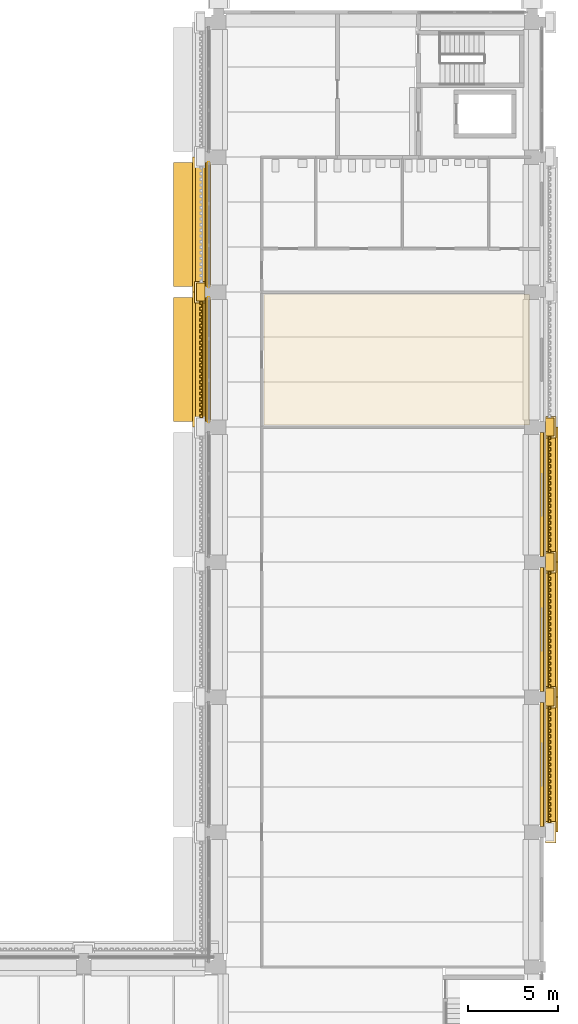
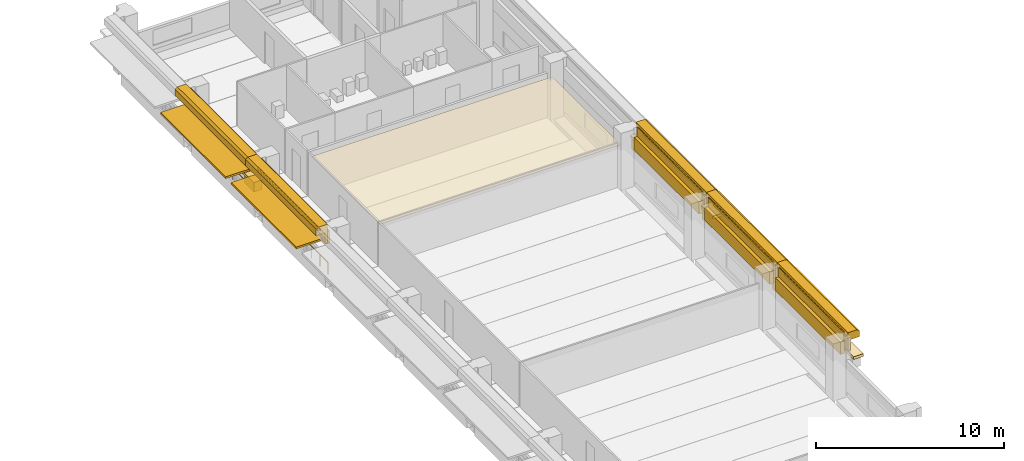
# One storey, part 64 of 71: 24 coverings, 2 railings, 2 shading devices.
"""IFC4 building model written with IfcOpenShell, lengths in metres."""

from ifc_helpers import new_model, si_unit, direction, frame, origin, origin_2d, place, context, subcontext, project, spatial, polyline, circle, outline, extrude, material, layer, layer_set, type_object, element, save


model = new_model("IFC4")

# Units and contexts
model_context = context("Model", 3, precision=1e-05, world=origin(), true_north=direction((0.0, 1.0)))
body_context = subcontext(model_context, "Body", "Model", "MODEL_VIEW")
ifc_project = project(units=[si_unit("LENGTHUNIT", "METRE"), si_unit("AREAUNIT", "SQUARE_METRE"), si_unit("VOLUMEUNIT", "CUBIC_METRE"), si_unit("PLANEANGLEUNIT", "RADIAN"), si_unit("MASSUNIT", "GRAM", prefix="KILO")], contexts=[model_context])

# Site, building, storey
site_placement = place(None, origin())
site = spatial("IfcSite", under=ifc_project, at=site_placement, CompositionType="ELEMENT")
building_placement = place(site_placement, origin())
building = spatial("IfcBuilding", under=site, at=building_placement, Name="Cour d'Honneur Mobility Palace", CompositionType="ELEMENT")
storey_placement = place(building_placement, frame((0.0, 0.0, 15.60009765625)))
storey = spatial("IfcBuildingStorey", under=building, at=storey_placement, Name="L04", CompositionType="ELEMENT", Elevation=15.60009765625)

# Railings
ifc_material_1 = material(Name="Painted steel", Category="steel")
railing_type = type_object("IfcRailingType", Name="Balustrade", PredefinedType="BALUSTRADE", material=ifc_material_1)
for number, where, name in (
    (1, (144.35009765625, 107.10009765625, 0.2998046875), "Balustrade BAL-229"),
    (2, (144.35009765625, 99.60009765625, 0.2998046875), "Balustrade BAL-230"),
):
    element("IfcRailing", number, at=place(storey_placement, frame(where)), inside=storey, type_object=railing_type, Name=name, PredefinedType="BALUSTRADE", context=body_context, shape_type="SweptSolid", body=[
        extrude(circle(Radius=0.02392578125, at=origin_2d()), frame((0.0, 0.0, 0.77587890625), z_axis=(0.0, -1.0, 0.0), x_axis=(1.0, 0.0, 0.0)), (0.0, 0.0, 1.0), 6.900146484375),
        extrude(circle(Radius=0.02099609375, at=origin_2d()), origin(), (0.0, 0.0, 1.0), 0.751953125),
        extrude(circle(Radius=0.02099609375, at=origin_2d()), frame((0.0, -0.862548828125, 0.0)), (0.0, 0.0, 1.0), 0.751953125),
        extrude(circle(Radius=0.02099609375, at=origin_2d()), frame((0.0, -1.72509765625, 0.0)), (0.0, 0.0, 1.0), 0.751953125),
        extrude(circle(Radius=0.02099609375, at=origin_2d()), frame((0.0, -2.587646484375, 0.0)), (0.0, 0.0, 1.0), 0.751953125),
        extrude(circle(Radius=0.02099609375, at=origin_2d()), frame((0.0, -3.4501953125, 0.0)), (0.0, 0.0, 1.0), 0.751953125),
        extrude(circle(Radius=0.02099609375, at=origin_2d()), frame((0.0, -4.3125, 0.0)), (0.0, 0.0, 1.0), 0.751953125),
        extrude(circle(Radius=0.02099609375, at=origin_2d()), frame((0.0, -5.175048828125, 0.0)), (0.0, 0.0, 1.0), 0.751953125),
        extrude(circle(Radius=0.02099609375, at=origin_2d()), frame((0.0, -6.03759765625, 0.0)), (0.0, 0.0, 1.0), 0.751953125),
        extrude(circle(Radius=0.02099609375, at=origin_2d()), frame((0.0, -6.900146484375, 0.0)), (0.0, 0.0, 1.0), 0.751953125),
    ])

# Coverings
ifc_material_2 = material(Name="Cast limestone", Category="masonry")
ifc_layer_1 = layer(ifc_material_2, 0.14990234375)
ifc_layer_set_1 = layer_set([ifc_layer_1], Name="Cast limestone")
covering_type_1 = type_object("IfcCoveringType", Name="Dentil course", PredefinedType="CLADDING", material=ifc_layer_set_1)
covering_1_placement = place(storey_placement, frame((0.0, 0.0, 3.14990234375)))
element("IfcCovering", 3, at=covering_1_placement, inside=storey, type_object=covering_type_1, Name="Dentil course DC-83", PredefinedType="CLADDING", context=body_context, shape_type="SweptSolid", body=[
    extrude(outline(polyline([(163.199951171875, 70.35009765625), (163.199951171875, 76.949951171875), (163.22998046875, 76.949951171875), (163.22998046875, 76.949951171875), (163.22998046875, 76.871337890625), (163.35009765625, 76.871337890625), (163.35009765625, 76.71435546875), (163.22998046875, 76.71435546875), (163.22998046875, 76.6357421875), (163.22998046875, 76.6357421875), (163.22998046875, 76.55712890625), (163.35009765625, 76.55712890625), (163.35009765625, 76.39990234375), (163.22998046875, 76.39990234375), (163.22998046875, 76.321533203125), (163.22998046875, 76.321533203125), (163.22998046875, 76.242919921875), (163.35009765625, 76.242919921875), (163.35009765625, 76.085693359375), (163.22998046875, 76.085693359375), (163.22998046875, 76.007080078125), (163.22998046875, 76.007080078125), (163.22998046875, 75.928466796875), (163.35009765625, 75.928466796875), (163.35009765625, 75.771484375), (163.22998046875, 75.771484375), (163.22998046875, 75.69287109375), (163.22998046875, 75.69287109375), (163.22998046875, 75.6142578125), (163.35009765625, 75.6142578125), (163.35009765625, 75.45703125), (163.22998046875, 75.45703125), (163.22998046875, 75.378662109375), (163.22998046875, 75.378662109375), (163.22998046875, 75.300048828125), (163.35009765625, 75.300048828125), (163.35009765625, 75.142822265625), (163.22998046875, 75.142822265625), (163.22998046875, 75.064208984375), (163.22998046875, 75.064208984375), (163.22998046875, 74.985595703125), (163.35009765625, 74.985595703125), (163.35009765625, 74.82861328125), (163.22998046875, 74.82861328125), (163.22998046875, 74.75), (163.22998046875, 74.75), (163.22998046875, 74.67138671875), (163.35009765625, 74.67138671875), (163.35009765625, 74.514404296875), (163.22998046875, 74.514404296875), (163.22998046875, 74.435791015625), (163.22998046875, 74.435791015625), (163.22998046875, 74.357177734375), (163.35009765625, 74.357177734375), (163.35009765625, 74.199951171875), (163.22998046875, 74.199951171875), (163.22998046875, 74.121337890625), (163.22998046875, 74.121337890625), (163.22998046875, 74.04296875), (163.35009765625, 74.04296875), (163.35009765625, 73.8857421875), (163.22998046875, 73.8857421875), (163.22998046875, 73.80712890625), (163.22998046875, 73.80712890625), (163.22998046875, 73.728515625), (163.35009765625, 73.728515625), (163.35009765625, 73.571533203125), (163.22998046875, 73.571533203125), (163.22998046875, 73.492919921875), (163.22998046875, 73.492919921875), (163.22998046875, 73.414306640625), (163.35009765625, 73.414306640625), (163.35009765625, 73.257080078125), (163.22998046875, 73.257080078125), (163.22998046875, 73.178466796875), (163.22998046875, 73.178466796875), (163.22998046875, 73.10009765625), (163.35009765625, 73.10009765625), (163.35009765625, 72.94287109375), (163.22998046875, 72.94287109375), (163.22998046875, 72.8642578125), (163.22998046875, 72.8642578125), (163.22998046875, 72.78564453125), (163.35009765625, 72.78564453125), (163.35009765625, 72.628662109375), (163.22998046875, 72.628662109375), (163.22998046875, 72.550048828125), (163.22998046875, 72.550048828125), (163.22998046875, 72.471435546875), (163.35009765625, 72.471435546875), (163.35009765625, 72.314208984375), (163.22998046875, 72.314208984375), (163.22998046875, 72.235595703125), (163.22998046875, 72.235595703125), (163.22998046875, 72.1572265625), (163.35009765625, 72.1572265625), (163.35009765625, 72.0), (163.22998046875, 72.0), (163.22998046875, 71.92138671875), (163.22998046875, 71.92138671875), (163.22998046875, 71.8427734375), (163.35009765625, 71.8427734375), (163.35009765625, 71.685791015625), (163.22998046875, 71.685791015625), (163.22998046875, 71.607177734375), (163.22998046875, 71.607177734375), (163.22998046875, 71.528564453125), (163.35009765625, 71.528564453125), (163.35009765625, 71.371337890625), (163.22998046875, 71.371337890625), (163.22998046875, 71.29296875), (163.22998046875, 71.29296875), (163.22998046875, 71.21435546875), (163.35009765625, 71.21435546875), (163.35009765625, 71.05712890625), (163.22998046875, 71.05712890625), (163.22998046875, 70.978515625), (163.22998046875, 70.978515625), (163.22998046875, 70.89990234375), (163.35009765625, 70.89990234375), (163.35009765625, 70.742919921875), (163.22998046875, 70.742919921875), (163.22998046875, 70.664306640625), (163.22998046875, 70.664306640625), (163.22998046875, 70.585693359375), (163.35009765625, 70.585693359375), (163.35009765625, 70.428466796875), (163.22998046875, 70.428466796875), (163.22998046875, 70.35009765625), (163.199951171875, 70.35009765625)])), origin(), (0.0, 0.0, 1.0), 0.14990234375),
])
covering_2_placement = place(storey_placement, frame((0.0, 0.0, 3.14990234375)))
element("IfcCovering", 4, at=covering_2_placement, inside=storey, type_object=covering_type_1, Name="Dentil course DC-84", PredefinedType="CLADDING", context=body_context, shape_type="SweptSolid", body=[
    extrude(outline(polyline([(163.199951171875, 77.85009765625), (163.199951171875, 84.449951171875), (163.22998046875, 84.449951171875), (163.22998046875, 84.449951171875), (163.22998046875, 84.371337890625), (163.35009765625, 84.371337890625), (163.35009765625, 84.21435546875), (163.22998046875, 84.21435546875), (163.22998046875, 84.1357421875), (163.22998046875, 84.1357421875), (163.22998046875, 84.05712890625), (163.35009765625, 84.05712890625), (163.35009765625, 83.89990234375), (163.22998046875, 83.89990234375), (163.22998046875, 83.821533203125), (163.22998046875, 83.821533203125), (163.22998046875, 83.742919921875), (163.35009765625, 83.742919921875), (163.35009765625, 83.585693359375), (163.22998046875, 83.585693359375), (163.22998046875, 83.507080078125), (163.22998046875, 83.507080078125), (163.22998046875, 83.428466796875), (163.35009765625, 83.428466796875), (163.35009765625, 83.271484375), (163.22998046875, 83.271484375), (163.22998046875, 83.19287109375), (163.22998046875, 83.19287109375), (163.22998046875, 83.1142578125), (163.35009765625, 83.1142578125), (163.35009765625, 82.95703125), (163.22998046875, 82.95703125), (163.22998046875, 82.878662109375), (163.22998046875, 82.878662109375), (163.22998046875, 82.800048828125), (163.35009765625, 82.800048828125), (163.35009765625, 82.642822265625), (163.22998046875, 82.642822265625), (163.22998046875, 82.564208984375), (163.22998046875, 82.564208984375), (163.22998046875, 82.485595703125), (163.35009765625, 82.485595703125), (163.35009765625, 82.32861328125), (163.22998046875, 82.32861328125), (163.22998046875, 82.25), (163.22998046875, 82.25), (163.22998046875, 82.17138671875), (163.35009765625, 82.17138671875), (163.35009765625, 82.014404296875), (163.22998046875, 82.014404296875), (163.22998046875, 81.935791015625), (163.22998046875, 81.935791015625), (163.22998046875, 81.857177734375), (163.35009765625, 81.857177734375), (163.35009765625, 81.699951171875), (163.22998046875, 81.699951171875), (163.22998046875, 81.621337890625), (163.22998046875, 81.621337890625), (163.22998046875, 81.54296875), (163.35009765625, 81.54296875), (163.35009765625, 81.3857421875), (163.22998046875, 81.3857421875), (163.22998046875, 81.30712890625), (163.22998046875, 81.30712890625), (163.22998046875, 81.228515625), (163.35009765625, 81.228515625), (163.35009765625, 81.071533203125), (163.22998046875, 81.071533203125), (163.22998046875, 80.992919921875), (163.22998046875, 80.992919921875), (163.22998046875, 80.914306640625), (163.35009765625, 80.914306640625), (163.35009765625, 80.757080078125), (163.22998046875, 80.757080078125), (163.22998046875, 80.678466796875), (163.22998046875, 80.678466796875), (163.22998046875, 80.60009765625), (163.35009765625, 80.60009765625), (163.35009765625, 80.44287109375), (163.22998046875, 80.44287109375), (163.22998046875, 80.3642578125), (163.22998046875, 80.3642578125), (163.22998046875, 80.28564453125), (163.35009765625, 80.28564453125), (163.35009765625, 80.128662109375), (163.22998046875, 80.128662109375), (163.22998046875, 80.050048828125), (163.22998046875, 80.050048828125), (163.22998046875, 79.971435546875), (163.35009765625, 79.971435546875), (163.35009765625, 79.814208984375), (163.22998046875, 79.814208984375), (163.22998046875, 79.735595703125), (163.22998046875, 79.735595703125), (163.22998046875, 79.6572265625), (163.35009765625, 79.6572265625), (163.35009765625, 79.5), (163.22998046875, 79.5), (163.22998046875, 79.42138671875), (163.22998046875, 79.42138671875), (163.22998046875, 79.3427734375), (163.35009765625, 79.3427734375), (163.35009765625, 79.185791015625), (163.22998046875, 79.185791015625), (163.22998046875, 79.107177734375), (163.22998046875, 79.107177734375), (163.22998046875, 79.028564453125), (163.35009765625, 79.028564453125), (163.35009765625, 78.871337890625), (163.22998046875, 78.871337890625), (163.22998046875, 78.79296875), (163.22998046875, 78.79296875), (163.22998046875, 78.71435546875), (163.35009765625, 78.71435546875), (163.35009765625, 78.55712890625), (163.22998046875, 78.55712890625), (163.22998046875, 78.478515625), (163.22998046875, 78.478515625), (163.22998046875, 78.39990234375), (163.35009765625, 78.39990234375), (163.35009765625, 78.242919921875), (163.22998046875, 78.242919921875), (163.22998046875, 78.164306640625), (163.22998046875, 78.164306640625), (163.22998046875, 78.085693359375), (163.35009765625, 78.085693359375), (163.35009765625, 77.928466796875), (163.22998046875, 77.928466796875), (163.22998046875, 77.85009765625), (163.199951171875, 77.85009765625)])), origin(), (0.0, 0.0, 1.0), 0.14990234375),
])
covering_3_placement = place(storey_placement, frame((0.0, 0.0, 3.14990234375)))
element("IfcCovering", 5, at=covering_3_placement, inside=storey, type_object=covering_type_1, Name="Dentil course DC-85", PredefinedType="CLADDING", context=body_context, shape_type="SweptSolid", body=[
    extrude(outline(polyline([(163.199951171875, 85.35009765625), (163.199951171875, 91.949951171875), (163.22998046875, 91.949951171875), (163.22998046875, 91.949951171875), (163.22998046875, 91.871337890625), (163.35009765625, 91.871337890625), (163.35009765625, 91.71435546875), (163.22998046875, 91.71435546875), (163.22998046875, 91.6357421875), (163.22998046875, 91.6357421875), (163.22998046875, 91.55712890625), (163.35009765625, 91.55712890625), (163.35009765625, 91.39990234375), (163.22998046875, 91.39990234375), (163.22998046875, 91.321533203125), (163.22998046875, 91.321533203125), (163.22998046875, 91.242919921875), (163.35009765625, 91.242919921875), (163.35009765625, 91.085693359375), (163.22998046875, 91.085693359375), (163.22998046875, 91.007080078125), (163.22998046875, 91.007080078125), (163.22998046875, 90.928466796875), (163.35009765625, 90.928466796875), (163.35009765625, 90.771484375), (163.22998046875, 90.771484375), (163.22998046875, 90.69287109375), (163.22998046875, 90.69287109375), (163.22998046875, 90.6142578125), (163.35009765625, 90.6142578125), (163.35009765625, 90.45703125), (163.22998046875, 90.45703125), (163.22998046875, 90.378662109375), (163.22998046875, 90.378662109375), (163.22998046875, 90.300048828125), (163.35009765625, 90.300048828125), (163.35009765625, 90.142822265625), (163.22998046875, 90.142822265625), (163.22998046875, 90.064208984375), (163.22998046875, 90.064208984375), (163.22998046875, 89.985595703125), (163.35009765625, 89.985595703125), (163.35009765625, 89.82861328125), (163.22998046875, 89.82861328125), (163.22998046875, 89.75), (163.22998046875, 89.75), (163.22998046875, 89.67138671875), (163.35009765625, 89.67138671875), (163.35009765625, 89.514404296875), (163.22998046875, 89.514404296875), (163.22998046875, 89.435791015625), (163.22998046875, 89.435791015625), (163.22998046875, 89.357177734375), (163.35009765625, 89.357177734375), (163.35009765625, 89.199951171875), (163.22998046875, 89.199951171875), (163.22998046875, 89.121337890625), (163.22998046875, 89.121337890625), (163.22998046875, 89.04296875), (163.35009765625, 89.04296875), (163.35009765625, 88.8857421875), (163.22998046875, 88.8857421875), (163.22998046875, 88.80712890625), (163.22998046875, 88.80712890625), (163.22998046875, 88.728515625), (163.35009765625, 88.728515625), (163.35009765625, 88.571533203125), (163.22998046875, 88.571533203125), (163.22998046875, 88.492919921875), (163.22998046875, 88.492919921875), (163.22998046875, 88.414306640625), (163.35009765625, 88.414306640625), (163.35009765625, 88.257080078125), (163.22998046875, 88.257080078125), (163.22998046875, 88.178466796875), (163.22998046875, 88.178466796875), (163.22998046875, 88.10009765625), (163.35009765625, 88.10009765625), (163.35009765625, 87.94287109375), (163.22998046875, 87.94287109375), (163.22998046875, 87.8642578125), (163.22998046875, 87.8642578125), (163.22998046875, 87.78564453125), (163.35009765625, 87.78564453125), (163.35009765625, 87.628662109375), (163.22998046875, 87.628662109375), (163.22998046875, 87.550048828125), (163.22998046875, 87.550048828125), (163.22998046875, 87.471435546875), (163.35009765625, 87.471435546875), (163.35009765625, 87.314208984375), (163.22998046875, 87.314208984375), (163.22998046875, 87.235595703125), (163.22998046875, 87.235595703125), (163.22998046875, 87.1572265625), (163.35009765625, 87.1572265625), (163.35009765625, 87.0), (163.22998046875, 87.0), (163.22998046875, 86.92138671875), (163.22998046875, 86.92138671875), (163.22998046875, 86.8427734375), (163.35009765625, 86.8427734375), (163.35009765625, 86.685791015625), (163.22998046875, 86.685791015625), (163.22998046875, 86.607177734375), (163.22998046875, 86.607177734375), (163.22998046875, 86.528564453125), (163.35009765625, 86.528564453125), (163.35009765625, 86.371337890625), (163.22998046875, 86.371337890625), (163.22998046875, 86.29296875), (163.22998046875, 86.29296875), (163.22998046875, 86.21435546875), (163.35009765625, 86.21435546875), (163.35009765625, 86.05712890625), (163.22998046875, 86.05712890625), (163.22998046875, 85.978515625), (163.22998046875, 85.978515625), (163.22998046875, 85.89990234375), (163.35009765625, 85.89990234375), (163.35009765625, 85.742919921875), (163.22998046875, 85.742919921875), (163.22998046875, 85.664306640625), (163.22998046875, 85.664306640625), (163.22998046875, 85.585693359375), (163.35009765625, 85.585693359375), (163.35009765625, 85.428466796875), (163.22998046875, 85.428466796875), (163.22998046875, 85.35009765625), (163.199951171875, 85.35009765625)])), origin(), (0.0, 0.0, 1.0), 0.14990234375),
])
covering_4_placement = place(storey_placement, frame((0.0, 0.0, 3.14990234375)))
element("IfcCovering", 6, at=covering_4_placement, inside=storey, type_object=covering_type_1, Name="Dentil course DC-90", PredefinedType="CLADDING", context=body_context, shape_type="SweptSolid", body=[
    extrude(outline(polyline([(144.0, 99.449951171875), (144.0, 92.85009765625), (143.969970703125, 92.85009765625), (143.969970703125, 92.85009765625), (143.969970703125, 92.928466796875), (143.85009765625, 92.928466796875), (143.85009765625, 93.085693359375), (143.969970703125, 93.085693359375), (143.969970703125, 93.164306640625), (143.969970703125, 93.164306640625), (143.969970703125, 93.242919921875), (143.85009765625, 93.242919921875), (143.85009765625, 93.39990234375), (143.969970703125, 93.39990234375), (143.969970703125, 93.478515625), (143.969970703125, 93.478515625), (143.969970703125, 93.55712890625), (143.85009765625, 93.55712890625), (143.85009765625, 93.71435546875), (143.969970703125, 93.71435546875), (143.969970703125, 93.79296875), (143.969970703125, 93.79296875), (143.969970703125, 93.871337890625), (143.85009765625, 93.871337890625), (143.85009765625, 94.028564453125), (143.969970703125, 94.028564453125), (143.969970703125, 94.107177734375), (143.969970703125, 94.107177734375), (143.969970703125, 94.185791015625), (143.85009765625, 94.185791015625), (143.85009765625, 94.3427734375), (143.969970703125, 94.3427734375), (143.969970703125, 94.42138671875), (143.969970703125, 94.42138671875), (143.969970703125, 94.5), (143.85009765625, 94.5), (143.85009765625, 94.6572265625), (143.969970703125, 94.6572265625), (143.969970703125, 94.735595703125), (143.969970703125, 94.735595703125), (143.969970703125, 94.814208984375), (143.85009765625, 94.814208984375), (143.85009765625, 94.971435546875), (143.969970703125, 94.971435546875), (143.969970703125, 95.050048828125), (143.969970703125, 95.050048828125), (143.969970703125, 95.128662109375), (143.85009765625, 95.128662109375), (143.85009765625, 95.28564453125), (143.969970703125, 95.28564453125), (143.969970703125, 95.3642578125), (143.969970703125, 95.3642578125), (143.969970703125, 95.44287109375), (143.85009765625, 95.44287109375), (143.85009765625, 95.60009765625), (143.969970703125, 95.60009765625), (143.969970703125, 95.678466796875), (143.969970703125, 95.678466796875), (143.969970703125, 95.757080078125), (143.85009765625, 95.757080078125), (143.85009765625, 95.914306640625), (143.969970703125, 95.914306640625), (143.969970703125, 95.992919921875), (143.969970703125, 95.992919921875), (143.969970703125, 96.071533203125), (143.85009765625, 96.071533203125), (143.85009765625, 96.228515625), (143.969970703125, 96.228515625), (143.969970703125, 96.30712890625), (143.969970703125, 96.30712890625), (143.969970703125, 96.3857421875), (143.85009765625, 96.3857421875), (143.85009765625, 96.54296875), (143.969970703125, 96.54296875), (143.969970703125, 96.621337890625), (143.969970703125, 96.621337890625), (143.969970703125, 96.699951171875), (143.85009765625, 96.699951171875), (143.85009765625, 96.857177734375), (143.969970703125, 96.857177734375), (143.969970703125, 96.935791015625), (143.969970703125, 96.935791015625), (143.969970703125, 97.014404296875), (143.85009765625, 97.014404296875), (143.85009765625, 97.17138671875), (143.969970703125, 97.17138671875), (143.969970703125, 97.25), (143.969970703125, 97.25), (143.969970703125, 97.32861328125), (143.85009765625, 97.32861328125), (143.85009765625, 97.485595703125), (143.969970703125, 97.485595703125), (143.969970703125, 97.564208984375), (143.969970703125, 97.564208984375), (143.969970703125, 97.642822265625), (143.85009765625, 97.642822265625), (143.85009765625, 97.800048828125), (143.969970703125, 97.800048828125), (143.969970703125, 97.878662109375), (143.969970703125, 97.878662109375), (143.969970703125, 97.95703125), (143.85009765625, 97.95703125), (143.85009765625, 98.1142578125), (143.969970703125, 98.1142578125), (143.969970703125, 98.19287109375), (143.969970703125, 98.19287109375), (143.969970703125, 98.271484375), (143.85009765625, 98.271484375), (143.85009765625, 98.428466796875), (143.969970703125, 98.428466796875), (143.969970703125, 98.507080078125), (143.969970703125, 98.507080078125), (143.969970703125, 98.585693359375), (143.85009765625, 98.585693359375), (143.85009765625, 98.742919921875), (143.969970703125, 98.742919921875), (143.969970703125, 98.821533203125), (143.969970703125, 98.821533203125), (143.969970703125, 98.89990234375), (143.85009765625, 98.89990234375), (143.85009765625, 99.05712890625), (143.969970703125, 99.05712890625), (143.969970703125, 99.1357421875), (143.969970703125, 99.1357421875), (143.969970703125, 99.21435546875), (143.85009765625, 99.21435546875), (143.85009765625, 99.371337890625), (143.969970703125, 99.371337890625), (143.969970703125, 99.449951171875), (144.0, 99.449951171875)])), origin(), (0.0, 0.0, 1.0), 0.14990234375),
])

# Shading devices
ifc_material_3 = material(Name="Anodised aluminium", Category="aluminium")
ifc_layer_2 = layer(ifc_material_3, 0.1201171875)
ifc_layer_set_2 = layer_set([ifc_layer_2], Name="Anodised aluminium")
shading_device_type = type_object("IfcShadingDeviceType", Name="Eave sunshade 1800", PredefinedType="AWNING", material=ifc_layer_set_2)
shading_device_1_placement = place(storey_placement, frame((0.0, 0.0, 2.6298828125)))
element("IfcShadingDevice", 7, at=shading_device_1_placement, inside=storey, type_object=shading_device_type, Name="Sunshade W7.1 L04", PredefinedType="AWNING", context=body_context, shape_type="SweptSolid", body=[
    extrude(outline(polyline([(144.199951171875, 107.10009765625), (144.199951171875, 100.199951171875), (142.39990234375, 100.199951171875), (142.39990234375, 107.10009765625), (144.199951171875, 107.10009765625)])), origin(), (0.0, 0.0, 1.0), 0.1201171875),
])
shading_device_2_placement = place(storey_placement, frame((0.0, 0.0, 2.6298828125)))
element("IfcShadingDevice", 8, at=shading_device_2_placement, inside=storey, type_object=shading_device_type, Name="Sunshade W7.2 L04", PredefinedType="AWNING", context=body_context, shape_type="SweptSolid", body=[
    extrude(outline(polyline([(144.199951171875, 99.60009765625), (144.199951171875, 92.699951171875), (142.39990234375, 92.699951171875), (142.39990234375, 99.60009765625), (144.199951171875, 99.60009765625)])), origin(), (0.0, 0.0, 1.0), 0.1201171875),
])

# Coverings
ifc_material_4 = material(Name="Cast limestone", Category="masonry")
ifc_layer_3 = layer(ifc_material_4, 0.699951171875)
ifc_layer_set_3 = layer_set([ifc_layer_3], Name="Cast limestone")
covering_type_2 = type_object("IfcCoveringType", Name="Entablature", PredefinedType="CLADDING", material=ifc_layer_set_3)
for number, where, z_axis, x_axis, name in (
    (9, (163.050048828125, 69.89990234375, 2.599853515625), (0.0, -1.0, 0.0), (1.0, 0.0, 0.0), "Entablature EN-83"),
    (10, (163.050048828125, 77.39990234375, 2.599853515625), (0.0, -1.0, 0.0), (1.0, 0.0, 0.0), "Entablature EN-84"),
    (11, (163.050048828125, 84.89990234375, 2.599853515625), (0.0, -1.0, 0.0), (1.0, 0.0, 0.0), "Entablature EN-85"),
):
    element("IfcCovering", number, at=place(storey_placement, frame(where, z_axis=z_axis, x_axis=x_axis)), inside=storey, type_object=covering_type_2, Name=name, PredefinedType="CLADDING", context=body_context, shape_type="SweptSolid", body=[
        extrude(outline(polyline([(0.0, 0.0), (0.14990234375, 0.0), (0.14990234375, 0.699951171875), (0.699951171875, 0.699951171875), (0.699951171875, 1.10009765625), (0.550048828125, 1.199951171875), (0.0, 1.199951171875), (0.0, 0.0)])), origin(), (0.0, 0.0, -1.0), 7.5),
    ])
for number, where, z_axis, x_axis, name in (
    (12, (144.14990234375, 107.39990234375, 2.599853515625), (0.0, 1.0, 0.0), (-1.0, 0.0, 0.0), "Entablature EN-89"),
    (13, (144.14990234375, 99.89990234375, 2.599853515625), (0.0, 1.0, 0.0), (-1.0, 0.0, 0.0), "Entablature EN-90"),
):
    element("IfcCovering", number, at=place(storey_placement, frame(where, z_axis=z_axis, x_axis=x_axis)), inside=storey, type_object=covering_type_2, Name=name, PredefinedType="CLADDING", context=body_context, shape_type="SweptSolid", body=[
        extrude(outline(polyline([(0.0, 0.0), (0.14990234375, 0.0), (0.14990234375, 0.699951171875), (0.699951171875, 0.699951171875), (0.699951171875, 1.10009765625), (0.5498046875, 1.199951171875), (0.0, 1.199951171875), (0.0, 0.0)])), origin(), (0.0, 0.0, -1.0), 7.5),
    ])
ifc_material_5 = material(Name="Cast limestone", Category="masonry")
ifc_layer_4 = layer(ifc_material_5, 0.1201171875)
ifc_layer_set_4 = layer_set([ifc_layer_4], Name="Cast limestone")
covering_type_3 = type_object("IfcCoveringType", Name="Pilaster capital", PredefinedType="CLADDING", material=ifc_layer_set_4)
covering_5_placement = place(storey_placement, frame((0.0, 0.0, 2.419921875)))
element("IfcCovering", 14, at=covering_5_placement, inside=storey, type_object=covering_type_3, Name="Pilaster capital PK-90", PredefinedType="CLADDING", context=body_context, shape_type="SweptSolid", body=[
    extrude(outline(polyline([(163.050048828125, 69.300048828125), (163.050048828125, 70.5), (163.64990234375, 70.5), (163.64990234375, 69.300048828125), (163.050048828125, 69.300048828125)])), origin(), (0.0, 0.0, 1.0), 0.179931640625),
])
covering_6_placement = place(storey_placement, frame((0.0, 0.0, 1.7998046875)))
element("IfcCovering", 15, at=covering_6_placement, inside=storey, type_object=covering_type_3, Name="Pilaster capital PK-91", PredefinedType="CLADDING", context=body_context, shape_type="SweptSolid", body=[
    extrude(outline(polyline([(163.050048828125, 76.89990234375), (163.050048828125, 77.89990234375), (163.52001953125, 77.89990234375), (163.52001953125, 76.89990234375), (163.050048828125, 76.89990234375)])), origin(), (0.0, 0.0, 1.0), 0.6201171875),
])
covering_7_placement = place(storey_placement, frame((0.0, 0.0, 2.419921875)))
element("IfcCovering", 16, at=covering_7_placement, inside=storey, type_object=covering_type_3, Name="Pilaster capital PK-92", PredefinedType="CLADDING", context=body_context, shape_type="SweptSolid", body=[
    extrude(outline(polyline([(163.050048828125, 76.800048828125), (163.050048828125, 78.0), (163.64990234375, 78.0), (163.64990234375, 76.800048828125), (163.050048828125, 76.800048828125)])), origin(), (0.0, 0.0, 1.0), 0.179931640625),
])
covering_8_placement = place(storey_placement, frame((0.0, 0.0, 1.7998046875)))
element("IfcCovering", 17, at=covering_8_placement, inside=storey, type_object=covering_type_3, Name="Pilaster capital PK-93", PredefinedType="CLADDING", context=body_context, shape_type="SweptSolid", body=[
    extrude(outline(polyline([(163.050048828125, 84.39990234375), (163.050048828125, 85.39990234375), (163.52001953125, 85.39990234375), (163.52001953125, 84.39990234375), (163.050048828125, 84.39990234375)])), origin(), (0.0, 0.0, 1.0), 0.6201171875),
])
covering_9_placement = place(storey_placement, frame((0.0, 0.0, 2.419921875)))
element("IfcCovering", 18, at=covering_9_placement, inside=storey, type_object=covering_type_3, Name="Pilaster capital PK-94", PredefinedType="CLADDING", context=body_context, shape_type="SweptSolid", body=[
    extrude(outline(polyline([(163.050048828125, 84.300048828125), (163.050048828125, 85.5), (163.64990234375, 85.5), (163.64990234375, 84.300048828125), (163.050048828125, 84.300048828125)])), origin(), (0.0, 0.0, 1.0), 0.179931640625),
])
covering_10_placement = place(storey_placement, frame((0.0, 0.0, 1.7998046875)))
element("IfcCovering", 19, at=covering_10_placement, inside=storey, type_object=covering_type_3, Name="Pilaster capital PK-95", PredefinedType="CLADDING", context=body_context, shape_type="SweptSolid", body=[
    extrude(outline(polyline([(163.050048828125, 91.89990234375), (163.050048828125, 92.89990234375), (163.52001953125, 92.89990234375), (163.52001953125, 91.89990234375), (163.050048828125, 91.89990234375)])), origin(), (0.0, 0.0, 1.0), 0.6201171875),
])
covering_11_placement = place(storey_placement, frame((0.0, 0.0, 2.419921875)))
element("IfcCovering", 20, at=covering_11_placement, inside=storey, type_object=covering_type_3, Name="Pilaster capital PK-96", PredefinedType="CLADDING", context=body_context, shape_type="SweptSolid", body=[
    extrude(outline(polyline([(163.050048828125, 91.800048828125), (163.050048828125, 93.0), (163.64990234375, 93.0), (163.64990234375, 91.800048828125), (163.050048828125, 91.800048828125)])), origin(), (0.0, 0.0, 1.0), 0.179931640625),
])
covering_12_placement = place(storey_placement, frame((0.0, 0.0, 1.7998046875)))
element("IfcCovering", 21, at=covering_12_placement, inside=storey, type_object=covering_type_3, Name="Pilaster capital PK-111", PredefinedType="CLADDING", context=body_context, shape_type="SweptSolid", body=[
    extrude(outline(polyline([(144.14990234375, 100.39990234375), (144.14990234375, 99.39990234375), (143.679931640625, 99.39990234375), (143.679931640625, 100.39990234375), (144.14990234375, 100.39990234375)])), origin(), (0.0, 0.0, 1.0), 0.6201171875),
])
covering_13_placement = place(storey_placement, frame((0.0, 0.0, 2.419921875)))
element("IfcCovering", 22, at=covering_13_placement, inside=storey, type_object=covering_type_3, Name="Pilaster capital PK-112", PredefinedType="CLADDING", context=body_context, shape_type="SweptSolid", body=[
    extrude(outline(polyline([(144.14990234375, 100.5), (144.14990234375, 99.300048828125), (143.550048828125, 99.300048828125), (143.550048828125, 100.5), (144.14990234375, 100.5)])), origin(), (0.0, 0.0, 1.0), 0.179931640625),
])
ifc_material_6 = material(Name="Cast limestone", Category="masonry")
ifc_layer_5 = layer(ifc_material_6, 0.25)
ifc_layer_set_5 = layer_set([ifc_layer_5], Name="Cast limestone")
covering_type_4 = type_object("IfcCoveringType", Name="Spandrel cladding", PredefinedType="CLADDING", material=ifc_layer_set_5)
for number, where, z_axis, x_axis, name in (
    (23, (162.75, 70.199951171875, 2.2998046875), (0.0, -1.0, 0.0), (1.0, 0.0, 0.0), "Spandrel cladding SK-302"),
    (24, (162.75, 77.699951171875, 2.2998046875), (0.0, -1.0, 0.0), (1.0, 0.0, 0.0), "Spandrel cladding SK-303"),
    (25, (162.75, 85.199951171875, 2.2998046875), (0.0, -1.0, 0.0), (1.0, 0.0, 0.0), "Spandrel cladding SK-304"),
    (26, (144.449951171875, 107.10009765625, 2.2998046875), (0.0, 1.0, 0.0), (-1.0, 0.0, 0.0), "Spandrel cladding SK-308"),
    (27, (144.449951171875, 99.60009765625, 2.2998046875), (0.0, 1.0, 0.0), (-1.0, 0.0, 0.0), "Spandrel cladding SK-309"),
):
    element("IfcCovering", number, at=place(storey_placement, frame(where, z_axis=z_axis, x_axis=x_axis)), inside=storey, type_object=covering_type_4, Name=name, PredefinedType="CLADDING", context=body_context, shape_type="SweptSolid", body=[
        extrude(outline(polyline([(0.0, 0.0), (0.25, 0.0), (0.25, 1.400146484375), (0.199951171875, 1.400146484375), (0.199951171875, 0.800048828125), (0.0, 0.800048828125), (0.0, 0.0)])), origin(), (0.0, 0.0, -1.0), 6.89990234375),
    ])
ifc_material_7 = material(Name="Suspended ceiling")
ifc_layer_6 = layer(ifc_material_7, 0.030029296875)
ifc_layer_set_6 = layer_set([ifc_layer_6], Name="Suspended ceiling")
covering_type_5 = type_object("IfcCoveringType", Name="Suspended ceiling", PredefinedType="CEILING", material=ifc_layer_set_6)
covering_14_placement = place(storey_placement, frame((0.0, 0.0, 2.5498046875)))
element("IfcCovering", 28, at=covering_14_placement, inside=storey, type_object=covering_type_5, Name="Ceiling Mobility Shop", PredefinedType="CEILING", context=body_context, shape_type="SweptSolid", body=[
    extrude(outline(polyline([(162.179931640625, 92.52001953125), (147.419921875, 92.52001953125), (147.419921875, 99.780029296875), (162.179931640625, 99.780029296875), (162.179931640625, 92.52001953125)])), origin(), (0.0, 0.0, 1.0), 0.030029296875),
])

save(model, "model.ifc")
